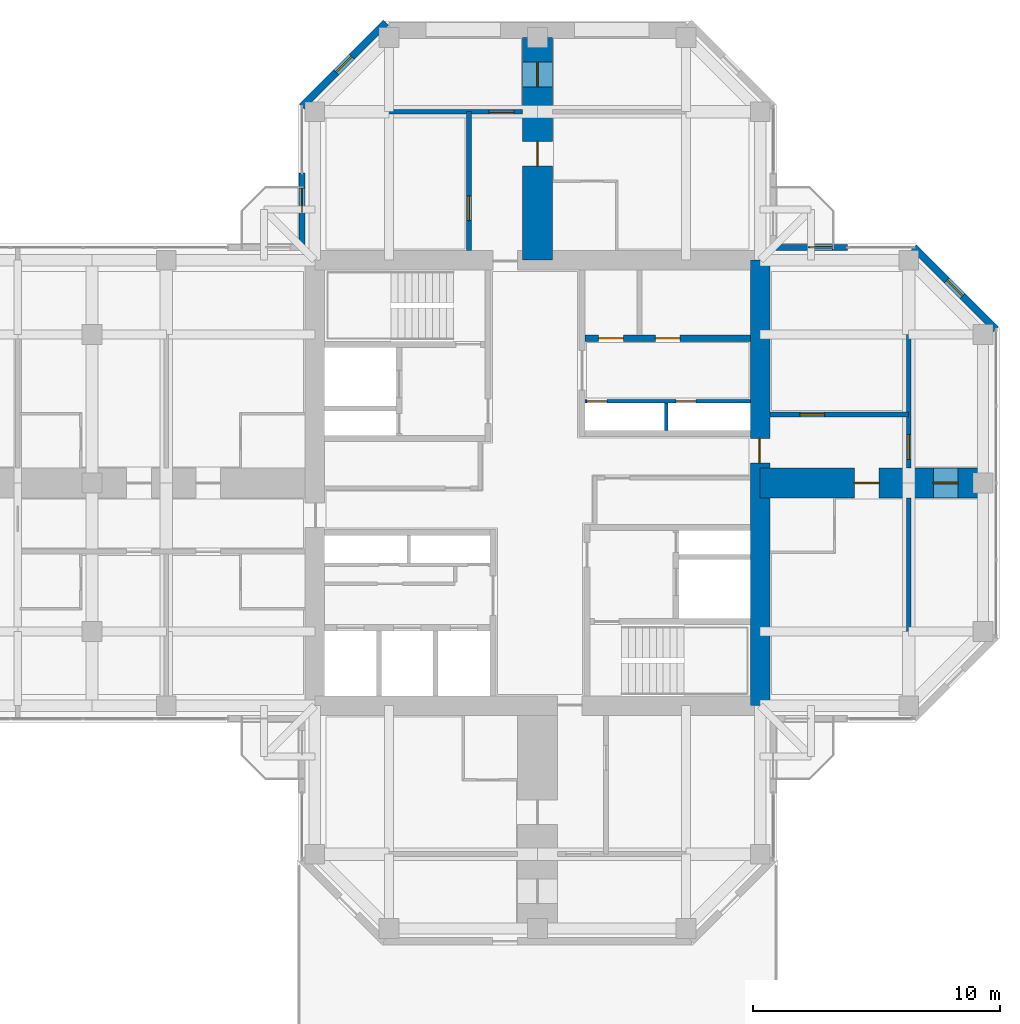
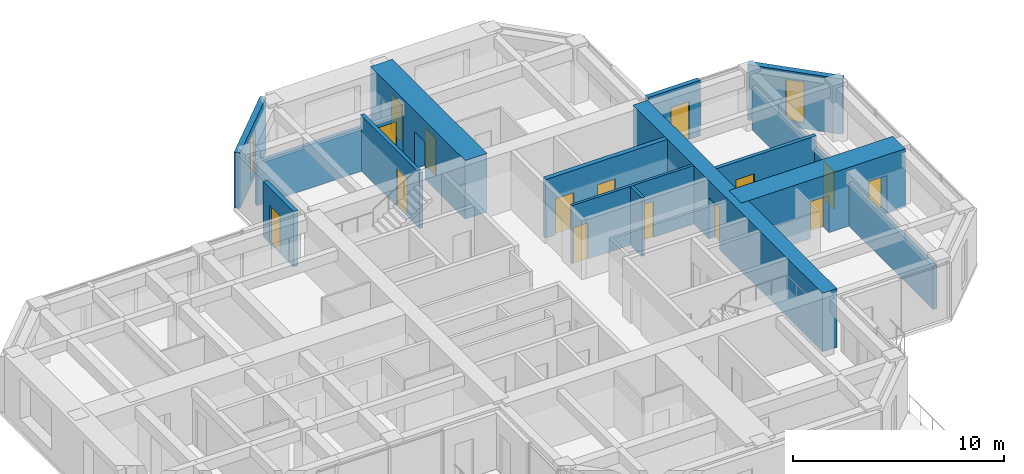
# One storey, part 11 of 14: 15 doors, 15 walls, 2 windows, 17 openings.
"""IFC4 building model written with IfcOpenShell, lengths in metres."""

from ifc_helpers import new_model, si_unit, direction, frame, frame_2d, origin, place, context, subcontext, project, spatial, rectangle, hollow_rectangle, extrude, material, layer, layer_set, constituent, constituent_set, type_object, element, fill, save


model = new_model("IFC4")

# Units and contexts
model_context = context("Model", 3, precision=1e-05, world=origin(), true_north=direction((0.0, 1.0)))
body_context = subcontext(model_context, "Body", "Model", "MODEL_VIEW")
ifc_project = project(units=[si_unit("LENGTHUNIT", "METRE"), si_unit("AREAUNIT", "SQUARE_METRE"), si_unit("VOLUMEUNIT", "CUBIC_METRE"), si_unit("PLANEANGLEUNIT", "RADIAN"), si_unit("MASSUNIT", "GRAM", prefix="KILO")], contexts=[model_context])

# Site, building, storey
site_placement = place(None, origin())
site = spatial("IfcSite", under=ifc_project, at=site_placement, CompositionType="ELEMENT")
building_placement = place(site_placement, origin())
building = spatial("IfcBuilding", under=site, at=building_placement, Name="Torre Cruceta", CompositionType="ELEMENT")
storey_placement = place(building_placement, frame((0.0, 0.0, 222.10009765625)))
storey = spatial("IfcBuildingStorey", under=building, at=storey_placement, Name="L56", CompositionType="ELEMENT", Elevation=222.10009765625)

# Wall, openings, doors
ifc_material_1 = material(Name="Concrete G60 (fck 60 MPa)", Category="concrete")
ifc_layer_1 = layer(ifc_material_1, 0.25)
ifc_layer_set_1 = layer_set([ifc_layer_1], Name="Concrete G60 (fck 60 MPa)")
wall_type_1 = type_object("IfcWallType", Name="CORE INNER WALL 250 G60", PredefinedType="SHEAR", material=ifc_layer_set_1)
wall_1_placement = place(storey_placement, frame((1.925048828125, 5.85009765625, 0.0), z_axis=(0.0, 0.0, 1.0), x_axis=(1.0, 0.0, 0.0)))
wall_1 = element("IfcWall", 1, at=wall_1_placement, inside=storey, type_object=wall_type_1, Name="CW4 L56 NE-LV", PredefinedType="SHEAR", context=body_context, shape_type="SweptSolid", body=[
    extrude(rectangle(XDim=6.675048828125, YDim=0.25, at=frame_2d((3.33740234375, 0.0))), origin(), (0.0, 0.0, 1.0), 3.39990234375),
])
opening_1_placement = place(wall_1_placement, frame((0.5458984375, 0.0, 0.0)))
opening_1 = element("IfcOpeningElement", 2, at=opening_1_placement, cuts=wall_1, Name="Opening D3", PredefinedType="OPENING", context=body_context, shape_type="SweptSolid", body=[
    extrude(rectangle(XDim=1.0, YDim=2.10009765625, at=frame_2d((0.5, 1.050048828125))), frame((0.0, 0.135009765625, 0.0), z_axis=(0.0, -1.0, 0.0), x_axis=(1.0, 0.0, 0.0)), (0.0, 0.0, 1.0), 0.27001953125),
])
opening_2_placement = place(wall_1_placement, frame((2.83740234375, 0.0, 0.0)))
opening_2 = element("IfcOpeningElement", 3, at=opening_2_placement, cuts=wall_1, Name="Opening D3", PredefinedType="OPENING", context=body_context, shape_type="SweptSolid", body=[
    extrude(rectangle(XDim=1.0, YDim=2.10009765625, at=frame_2d((0.5, 1.050048828125))), frame((0.0, 0.135009765625, 0.0), z_axis=(0.0, -1.0, 0.0), x_axis=(1.0, 0.0, 0.0)), (0.0, 0.0, 1.0), 0.27001953125),
])
ifc_material_2 = material(Name="Steel DX51D", Category="steel")
ifc_constituent_1 = constituent(ifc_material_2, Name="Leaf and frame")
ifc_material_3 = material(Name="Polyester powder coating", Category="paint")
ifc_constituent_2 = constituent(ifc_material_3, Name="Finish")
ifc_constituent_set_1 = constituent_set(constituents=[ifc_constituent_1, ifc_constituent_2], Name="Steel fire door")
door_type_1 = type_object("IfcDoorType", Name="FIRE DOOR 1000X2100", OperationType="SINGLE_SWING_LEFT", PredefinedType="DOOR", material=ifc_constituent_set_1)
door_1_placement = place(opening_1_placement, origin())
door_1 = element("IfcDoor", 4, at=door_1_placement, inside=storey, type_object=door_type_1, Name="D3 L56 NE-HR1", OperationType="SINGLE_SWING_LEFT", OverallHeight=2.10009765625, OverallWidth=1.0, PredefinedType="DOOR", context=body_context, shape_type="SweptSolid", body=[
    extrude(rectangle(XDim=1.0, YDim=2.10009765625, at=frame_2d((0.5, 1.050048828125))), frame((0.0, 0.02490234375, 0.0), z_axis=(0.0, -1.0, 0.0), x_axis=(1.0, 0.0, 0.0)), (0.0, 0.0, 1.0), 0.050048828125),
])
fill(opening_1, door_1)
door_2_placement = place(opening_2_placement, origin())
door_2 = element("IfcDoor", 5, at=door_2_placement, inside=storey, type_object=door_type_1, Name="D3 L56 NE-HR2", OperationType="SINGLE_SWING_LEFT", OverallHeight=2.10009765625, OverallWidth=1.0, PredefinedType="DOOR", context=body_context, shape_type="SweptSolid", body=[
    extrude(rectangle(XDim=1.0, YDim=2.10009765625, at=frame_2d((0.5, 1.050048828125))), frame((0.0, 0.02490234375, 0.0), z_axis=(0.0, -1.0, 0.0), x_axis=(1.0, 0.0, 0.0)), (0.0, 0.0, 1.0), 0.050048828125),
])
fill(opening_2, door_2)

# Wall, opening, door
ifc_material_4 = material(Name="Concrete G60 (fck 60 MPa)", Category="concrete")
ifc_layer_2 = layer(ifc_material_4, 0.800048828125)
ifc_layer_set_2 = layer_set([ifc_layer_2], Name="Concrete G60 (fck 60 MPa)")
wall_type_2 = type_object("IfcWallType", Name="CORE WALL 800 G60", PredefinedType="SHEAR", material=ifc_layer_set_2)
wall_2_placement = place(storey_placement, frame((9.0, -9.0, 0.0), z_axis=(0.0, 0.0, 1.0), x_axis=(0.0, 1.0, 0.0)))
wall_2 = element("IfcWall", 6, at=wall_2_placement, inside=storey, type_object=wall_type_2, Name="CW3 L56 CW-E", PredefinedType="SHEAR", context=body_context, shape_type="SweptSolid", body=[
    extrude(rectangle(XDim=18.0, YDim=0.800048828125, at=frame_2d((9.0, 0.0))), origin(), (0.0, 0.0, 1.0), 3.39990234375),
])
opening_3_placement = place(wall_2_placement, frame((9.800048828125, 0.0, 0.0)))
opening_3 = element("IfcOpeningElement", 7, at=opening_3_placement, cuts=wall_2, Name="Opening D4", PredefinedType="OPENING", context=body_context, shape_type="SweptSolid", body=[
    extrude(rectangle(XDim=1.0, YDim=2.39990234375, at=frame_2d((0.5, 1.199951171875))), frame((0.0, 0.409912109375, 0.0), z_axis=(0.0, -1.0, 0.0), x_axis=(1.0, 0.0, 0.0)), (0.0, 0.0, 1.0), 0.820068359375),
])
ifc_material_5 = material(Name="Steel DX51D", Category="steel")
ifc_constituent_3 = constituent(ifc_material_5, Name="Leaf and frame")
ifc_material_6 = material(Name="Polyester powder coating", Category="paint")
ifc_constituent_4 = constituent(ifc_material_6, Name="Finish")
ifc_constituent_set_2 = constituent_set(constituents=[ifc_constituent_3, ifc_constituent_4], Name="Steel fire door")
door_type_2 = type_object("IfcDoorType", Name="CORE ARM DOOR 1000X2400", OperationType="SINGLE_SWING_RIGHT", PredefinedType="DOOR", material=ifc_constituent_set_2)
door_3_placement = place(opening_3_placement, origin())
door_3 = element("IfcDoor", 8, at=door_3_placement, inside=storey, type_object=door_type_2, Name="D4 L56 CW-E", OperationType="SINGLE_SWING_RIGHT", OverallHeight=2.39990234375, OverallWidth=1.0, PredefinedType="DOOR", context=body_context, shape_type="SweptSolid", body=[
    extrude(rectangle(XDim=1.0, YDim=2.39990234375, at=frame_2d((0.5, 1.199951171875))), frame((0.0, 0.05517578125, 0.0), z_axis=(0.0, -1.0, 0.0), x_axis=(1.0, 0.0, 0.0)), (0.0, 0.0, 1.0), 0.050048828125),
])
fill(opening_3, door_3)

ifc_material_7 = material(Name="Concrete G25 (fck 25 MPa)", Category="concrete")
ifc_layer_3 = layer(ifc_material_7, 0.199951171875)
ifc_layer_set_3 = layer_set([ifc_layer_3], Name="Concrete G25 (fck 25 MPa)")
wall_type_3 = type_object("IfcWallType", Name="CORRIDOR WALL 200", PredefinedType="SOLIDWALL", material=ifc_layer_set_3)
wall_3_placement = place(storey_placement, frame((-2.77490234375, 9.39990234375, 0.0), z_axis=(0.0, 0.0, 1.0), x_axis=(0.0, 1.0, 0.0)))
wall_3 = element("IfcWall", 9, at=wall_3_placement, inside=storey, type_object=wall_type_3, Name="PT3 L56-N-CL", PredefinedType="SOLIDWALL", context=body_context, shape_type="SweptSolid", body=[
    extrude(rectangle(XDim=5.60009765625, YDim=0.199951171875, at=frame_2d((2.800048828125, 0.0))), origin(), (0.0, 0.0, 1.0), 3.219970703125),
])
opening_4_placement = place(wall_3_placement, frame((1.199951171875, 0.0, 0.0)))
opening_4 = element("IfcOpeningElement", 10, at=opening_4_placement, cuts=wall_3, Name="Opening D14", PredefinedType="OPENING", context=body_context, shape_type="SweptSolid", body=[
    extrude(rectangle(XDim=1.0, YDim=2.199951171875, at=frame_2d((0.5, 1.10009765625))), frame((0.0, 0.10986328125, 0.0), z_axis=(0.0, -1.0, 0.0), x_axis=(1.0, 0.0, 0.0)), (0.0, 0.0, 1.0), 0.219970703125),
])
ifc_material_8 = material(Name="Steel DX51D", Category="steel")
ifc_constituent_5 = constituent(ifc_material_8, Name="Leaf and frame")
ifc_material_9 = material(Name="Polyester powder coating", Category="paint")
ifc_constituent_6 = constituent(ifc_material_9, Name="Finish")
ifc_material_10 = material(Name="Fire-resisting glass", Category="glass")
ifc_constituent_7 = constituent(ifc_material_10, Name="Vision panel")
ifc_constituent_set_3 = constituent_set(constituents=[ifc_constituent_5, ifc_constituent_6, ifc_constituent_7], Name="Steel fire door with vision panel")
door_type_3 = type_object("IfcDoorType", Name="FIRE DOOR VISION PANEL 1000X2200", OperationType="SINGLE_SWING_RIGHT", PredefinedType="DOOR", material=ifc_constituent_set_3)
door_4_placement = place(opening_4_placement, origin())
door_4 = element("IfcDoor", 11, at=door_4_placement, inside=storey, type_object=door_type_3, Name="D14 L56-N-CL-D1", OperationType="SINGLE_SWING_LEFT", OverallHeight=2.199951171875, OverallWidth=1.0, PredefinedType="DOOR", context=body_context, shape_type="SweptSolid", body=[
    extrude(rectangle(XDim=1.0, YDim=2.199951171875, at=frame_2d((0.5, 1.10009765625))), frame((0.0, 0.02490234375, 0.0), z_axis=(0.0, -1.0, 0.0), x_axis=(1.0, 0.0, 0.0)), (0.0, 0.0, 1.0), 0.050048828125),
])
fill(opening_4, door_4)

wall_4_placement = place(storey_placement, frame((9.39990234375, 2.77490234375, 0.0), z_axis=(0.0, 0.0, 1.0), x_axis=(1.0, 0.0, 0.0)))
wall_4 = element("IfcWall", 12, at=wall_4_placement, inside=storey, type_object=wall_type_3, Name="PT3 L56-E-CL", PredefinedType="SOLIDWALL", context=body_context, shape_type="SweptSolid", body=[
    extrude(rectangle(XDim=5.60009765625, YDim=0.199951171875, at=frame_2d((2.800048828125, 0.0))), origin(), (0.0, 0.0, 1.0), 3.219970703125),
])
opening_5_placement = place(wall_4_placement, frame((1.199951171875, 0.0, 0.0)))
opening_5 = element("IfcOpeningElement", 13, at=opening_5_placement, cuts=wall_4, Name="Opening D14", PredefinedType="OPENING", context=body_context, shape_type="SweptSolid", body=[
    extrude(rectangle(XDim=1.0, YDim=2.199951171875, at=frame_2d((0.5, 1.10009765625))), frame((0.0, 0.10986328125, 0.0), z_axis=(0.0, -1.0, 0.0), x_axis=(1.0, 0.0, 0.0)), (0.0, 0.0, 1.0), 0.219970703125),
])
door_5_placement = place(opening_5_placement, origin())
door_5 = element("IfcDoor", 14, at=door_5_placement, inside=storey, type_object=door_type_3, Name="D14 L56-E-CL-D1", OperationType="SINGLE_SWING_LEFT", OverallHeight=2.199951171875, OverallWidth=1.0, PredefinedType="DOOR", context=body_context, shape_type="SweptSolid", body=[
    extrude(rectangle(XDim=1.0, YDim=2.199951171875, at=frame_2d((0.5, 1.10009765625))), frame((0.0, 0.02490234375, 0.0), z_axis=(0.0, -1.0, 0.0), x_axis=(1.0, 0.0, 0.0)), (0.0, 0.0, 1.0), 0.050048828125),
])
fill(opening_5, door_5)

# Wall, opening, window
ifc_material_11 = material(Name="Concrete G30 (fck 30 MPa)", Category="concrete")
ifc_layer_4 = layer(ifc_material_11, 0.300048828125)
ifc_layer_set_4 = layer_set([ifc_layer_4], Name="Concrete G30 (fck 30 MPa)")
wall_type_4 = type_object("IfcWallType", Name="EXPOSED CONCRETE FACADE WALL 300", PredefinedType="SOLIDWALL", material=ifc_layer_set_4)
wall_5_placement = place(storey_placement, frame((18.52001953125, 6.21533203125, 0.0), z_axis=(0.0, 0.0, 1.0), x_axis=(-0.707106781187, 0.707106781187, 0.0)))
wall_5 = element("IfcWall", 15, at=wall_5_placement, inside=storey, type_object=wall_type_4, Name="EW1 facade wall L56 E chamfer 03", PredefinedType="SOLIDWALL", context=body_context, shape_type="SweptSolid", body=[
    extrude(rectangle(XDim=4.673583984375, YDim=0.300048828125, at=frame_2d((2.3369140625, 0.0))), origin(), (0.0, 0.0, 1.0), 3.219970703125),
])
opening_6_placement = place(wall_5_placement, frame((1.88671875, 0.0, 0.300048828125)))
opening_6 = element("IfcOpeningElement", 16, at=opening_6_placement, cuts=wall_5, Name="Opening WN5", PredefinedType="OPENING", context=body_context, shape_type="SweptSolid", body=[
    extrude(rectangle(XDim=0.89990234375, YDim=2.39990234375, at=frame_2d((0.449951171875, 1.199951171875))), frame((0.0, 0.159912109375, 0.0), z_axis=(0.0, -1.0, 0.0), x_axis=(1.0, 0.0, 0.0)), (0.0, 0.0, 1.0), 0.320068359375),
])
ifc_material_12 = material(Name="Aluminium window frame", Category="aluminium")
ifc_constituent_8 = constituent(ifc_material_12, Name="Frame")
ifc_material_13 = material(Name="Laminated insulating glass unit, low-iron clear", Category="glass")
ifc_constituent_9 = constituent(ifc_material_13, Name="Glazing")
ifc_constituent_set_4 = constituent_set(constituents=[ifc_constituent_8, ifc_constituent_9], Name="Aluminium window")
window_type = type_object("IfcWindowType", Name="CHAMFER SLOT WINDOW 900X2400", PartitioningType="SINGLE_PANEL", PredefinedType="WINDOW", material=ifc_constituent_set_4)
window_1_placement = place(opening_6_placement, origin())
window_1 = element("IfcWindow", 17, at=window_1_placement, inside=storey, type_object=window_type, Name="WN5 L56 E 1", OverallHeight=2.39990234375, OverallWidth=0.89990234375, PartitioningType="SINGLE_PANEL", PredefinedType="WINDOW", context=body_context, shape_type="SweptSolid", body=[
    extrude(hollow_rectangle(XDim=0.89990234375, YDim=2.39990234375, WallThickness=0.06005859375, at=frame_2d((0.449951171875, 1.199951171875))), frame((0.0, 0.030029296875, 0.0), z_axis=(0.0, -1.0, 0.0), x_axis=(1.0, 0.0, 0.0)), (0.0, 0.0, 1.0), 0.06005859375),
    extrude(rectangle(XDim=0.77880859375, YDim=2.27880859375, at=frame_2d((0.449951171875, 1.199951171875))), frame((0.0, 0.030029296875, 0.0), z_axis=(0.0, -1.0, 0.0), x_axis=(1.0, 0.0, 0.0)), (0.0, 0.0, 1.0), 0.06005859375),
])
fill(opening_6, window_1)

wall_6_placement = place(storey_placement, frame((-6.135498046875, 18.60009765625, 0.0), z_axis=(0.0, 0.0, 1.0), x_axis=(-0.707081278264, -0.707132283189, 0.0)))
wall_6 = element("IfcWall", 18, at=wall_6_placement, inside=storey, type_object=wall_type_4, Name="EW1 facade wall L56 N chamfer 08", PredefinedType="SOLIDWALL", context=body_context, shape_type="SweptSolid", body=[
    extrude(rectangle(XDim=4.78662109375, YDim=0.300048828125, at=frame_2d((2.393310546875, 0.0))), origin(), (0.0, 0.0, 1.0), 3.219970703125),
])
opening_7_placement = place(wall_6_placement, frame((1.943359375, 0.0, 0.300048828125)))
opening_7 = element("IfcOpeningElement", 19, at=opening_7_placement, cuts=wall_6, Name="Opening WN5", PredefinedType="OPENING", context=body_context, shape_type="SweptSolid", body=[
    extrude(rectangle(XDim=0.89990234375, YDim=2.39990234375, at=frame_2d((0.449951171875, 1.199951171875))), frame((0.0, 0.159912109375, 0.0), z_axis=(0.0, -1.0, 0.0), x_axis=(1.0, 0.0, 0.0)), (0.0, 0.0, 1.0), 0.320068359375),
])
window_2_placement = place(opening_7_placement, origin())
window_2 = element("IfcWindow", 20, at=window_2_placement, inside=storey, type_object=window_type, Name="WN5 L56 N 1", OverallHeight=2.39990234375, OverallWidth=0.89990234375, PartitioningType="SINGLE_PANEL", PredefinedType="WINDOW", context=body_context, shape_type="SweptSolid", body=[
    extrude(hollow_rectangle(XDim=0.89990234375, YDim=2.39990234375, WallThickness=0.06005859375, at=frame_2d((0.449951171875, 1.199951171875))), frame((0.0, 0.030029296875, 0.0), z_axis=(0.0, -1.0, 0.0), x_axis=(1.0, 0.0, 0.0)), (0.0, 0.0, 1.0), 0.06005859375),
    extrude(rectangle(XDim=0.77880859375, YDim=2.27880859375, at=frame_2d((0.449951171875, 1.199951171875))), frame((0.0, 0.030029296875, 0.0), z_axis=(0.0, -1.0, 0.0), x_axis=(1.0, 0.0, 0.0)), (0.0, 0.0, 1.0), 0.06005859375),
])
fill(opening_7, window_2)

# Wall, openings, doors
ifc_material_14 = material(Name="Concrete block masonry", Category="masonry")
ifc_layer_5 = layer(ifc_material_14, 0.14990234375)
ifc_layer_set_5 = layer_set([ifc_layer_5], Name="Concrete block masonry")
wall_type_5 = type_object("IfcWallType", Name="RISER WALL 150", PredefinedType="PARTITIONING", material=ifc_layer_set_5)
wall_7_placement = place(storey_placement, frame((1.925048828125, 3.300048828125, 0.0), z_axis=(0.0, 0.0, 1.0), x_axis=(1.0, 0.0, 0.0)))
wall_7 = element("IfcWall", 21, at=wall_7_placement, inside=storey, type_object=wall_type_5, Name="SW7 L56 NE-RV", PredefinedType="PARTITIONING", context=body_context, shape_type="SweptSolid", body=[
    extrude(rectangle(XDim=6.675048828125, YDim=0.14990234375, at=frame_2d((3.33740234375, 0.0))), origin(), (0.0, 0.0, 1.0), 3.39990234375),
])
opening_8_placement = place(wall_7_placement, frame((0.074951171875, 0.0, 0.0)))
opening_8 = element("IfcOpeningElement", 22, at=opening_8_placement, cuts=wall_7, Name="Opening D5", PredefinedType="OPENING", context=body_context, shape_type="SweptSolid", body=[
    extrude(rectangle(XDim=0.800048828125, YDim=2.10009765625, at=frame_2d((0.39990234375, 1.050048828125))), frame((0.0, 0.0849609375, 0.0), z_axis=(0.0, -1.0, 0.0), x_axis=(1.0, 0.0, 0.0)), (0.0, 0.0, 1.0), 0.169921875),
])
opening_9_placement = place(wall_7_placement, frame((3.675048828125, 0.0, 0.0)))
opening_9 = element("IfcOpeningElement", 23, at=opening_9_placement, cuts=wall_7, Name="Opening D5", PredefinedType="OPENING", context=body_context, shape_type="SweptSolid", body=[
    extrude(rectangle(XDim=0.800048828125, YDim=2.10009765625, at=frame_2d((0.39990234375, 1.050048828125))), frame((0.0, 0.0849609375, 0.0), z_axis=(0.0, -1.0, 0.0), x_axis=(1.0, 0.0, 0.0)), (0.0, 0.0, 1.0), 0.169921875),
])
ifc_material_15 = material(Name="Steel DX51D", Category="steel")
ifc_constituent_10 = constituent(ifc_material_15, Name="Leaf and frame")
ifc_material_16 = material(Name="Polyester powder coating", Category="paint")
ifc_constituent_11 = constituent(ifc_material_16, Name="Finish")
ifc_constituent_set_5 = constituent_set(constituents=[ifc_constituent_10, ifc_constituent_11], Name="Steel fire door")
door_type_4 = type_object("IfcDoorType", Name="RISER ACCESS DOOR 800X2100", OperationType="SINGLE_SWING_LEFT", PredefinedType="DOOR", material=ifc_constituent_set_5)
door_6_placement = place(opening_8_placement, frame((0.800048828125, 0.0, 0.0), z_axis=(0.0, 0.0, 1.0), x_axis=(-1.0, 0.0, 0.0)))
door_6 = element("IfcDoor", 24, at=door_6_placement, inside=storey, type_object=door_type_4, Name="D5 L56 NE-RISER1", OperationType="SINGLE_SWING_RIGHT", OverallHeight=2.10009765625, OverallWidth=0.800048828125, PredefinedType="DOOR", context=body_context, shape_type="SweptSolid", body=[
    extrude(rectangle(XDim=0.800048828125, YDim=2.10009765625, at=frame_2d((0.400146484375, 1.050048828125))), frame((0.0, 0.025146484375, 0.0), z_axis=(0.0, -1.0, 0.0), x_axis=(1.0, 0.0, 0.0)), (0.0, 0.0, 1.0), 0.050048828125),
])
fill(opening_8, door_6)
door_7_placement = place(opening_9_placement, frame((0.800048828125, 0.0, 0.0), z_axis=(0.0, 0.0, 1.0), x_axis=(-1.0, 0.0, 0.0)))
door_7 = element("IfcDoor", 25, at=door_7_placement, inside=storey, type_object=door_type_4, Name="D5 L56 NE-RISER2", OperationType="SINGLE_SWING_RIGHT", OverallHeight=2.10009765625, OverallWidth=0.800048828125, PredefinedType="DOOR", context=body_context, shape_type="SweptSolid", body=[
    extrude(rectangle(XDim=0.800048828125, YDim=2.10009765625, at=frame_2d((0.400146484375, 1.050048828125))), frame((0.0, 0.025146484375, 0.0), z_axis=(0.0, -1.0, 0.0), x_axis=(1.0, 0.0, 0.0)), (0.0, 0.0, 1.0), 0.050048828125),
])
fill(opening_9, door_7)

# Wall
wall_8_placement = place(storey_placement, frame((5.199951171875, 2.125, 0.0), z_axis=(0.0, 0.0, 1.0), x_axis=(0.0, 1.0, 0.0)))
element("IfcWall", 26, at=wall_8_placement, inside=storey, type_object=wall_type_5, Name="SW7 L56 NE-RU", PredefinedType="PARTITIONING", context=body_context, shape_type="SweptSolid", body=[
    extrude(rectangle(XDim=1.10009765625, YDim=0.14990234375, at=frame_2d((0.550048828125, 0.0))), origin(), (0.0, 0.0, 1.0), 3.39990234375),
])

# Wall, openings, doors
ifc_material_17 = material(Name="Concrete G60 (fck 60 MPa)", Category="concrete")
ifc_layer_6 = layer(ifc_material_17, 1.199951171875)
ifc_layer_set_6 = layer_set([ifc_layer_6], Name="Concrete G60 (fck 60 MPa)")
wall_type_6 = type_object("IfcWallType", Name="SPINE WALL 1200 G60", PredefinedType="SHEAR", material=ifc_layer_set_6)
wall_9_placement = place(storey_placement, frame((0.0, 9.0, 0.0), z_axis=(0.0, 0.0, 1.0), x_axis=(0.0, 1.0, 0.0)))
wall_9 = element("IfcWall", 27, at=wall_9_placement, inside=storey, type_object=wall_type_6, Name="SW3 spine wall L56 N", PredefinedType="SHEAR", context=body_context, shape_type="SweptSolid", body=[
    extrude(rectangle(XDim=9.0, YDim=1.199951171875, at=frame_2d((4.5, 0.0))), origin(), (0.0, 0.0, 1.0), 3.39990234375),
])
opening_10_placement = place(wall_9_placement, frame((3.800048828125, 0.0, 0.0)))
opening_10 = element("IfcOpeningElement", 28, at=opening_10_placement, cuts=wall_9, Name="Opening D6", PredefinedType="OPENING", context=body_context, shape_type="SweptSolid", body=[
    extrude(rectangle(XDim=1.0, YDim=2.14990234375, at=frame_2d((0.5, 1.074951171875))), frame((0.0, 0.60986328125, 0.0), z_axis=(0.0, -1.0, 0.0), x_axis=(1.0, 0.0, 0.0)), (0.0, 0.0, 1.0), 1.219970703125),
])
opening_11_placement = place(wall_9_placement, frame((7.0, 0.0, 0.0)))
opening_11 = element("IfcOpeningElement", 29, at=opening_11_placement, cuts=wall_9, Name="Opening D14", PredefinedType="OPENING", context=body_context, shape_type="SweptSolid", body=[
    extrude(rectangle(XDim=1.0, YDim=2.199951171875, at=frame_2d((0.5, 1.10009765625))), frame((0.0, 0.60986328125, 0.0), z_axis=(0.0, -1.0, 0.0), x_axis=(1.0, 0.0, 0.0)), (0.0, 0.0, 1.0), 1.219970703125),
])
door_8_placement = place(opening_11_placement, origin())
door_8 = element("IfcDoor", 30, at=door_8_placement, inside=storey, type_object=door_type_3, Name="D14 L56-N-SP2", OperationType="SINGLE_SWING_RIGHT", OverallHeight=2.199951171875, OverallWidth=1.0, PredefinedType="DOOR", context=body_context, shape_type="SweptSolid", body=[
    extrude(rectangle(XDim=1.0, YDim=2.199951171875, at=frame_2d((0.5, 1.10009765625))), frame((0.0, 0.02490234375, 0.0), z_axis=(0.0, -1.0, 0.0), x_axis=(1.0, 0.0, 0.0)), (0.0, 0.0, 1.0), 0.050048828125),
])
fill(opening_11, door_8)
ifc_material_18 = material(Name="Timber fire door", Category="wood")
door_type_5 = type_object("IfcDoorType", Name="UNIT ENTRANCE DOOR 1000X2150", OperationType="SINGLE_SWING_LEFT", PredefinedType="DOOR", material=ifc_material_18)
door_9_placement = place(opening_10_placement, frame((1.0, 0.0, 0.0), z_axis=(0.0, 0.0, 1.0), x_axis=(-1.0, 0.0, 0.0)))
door_9 = element("IfcDoor", 31, at=door_9_placement, inside=storey, type_object=door_type_5, Name="D6 L56-N-SP1", OperationType="SINGLE_SWING_RIGHT", OverallHeight=2.14990234375, OverallWidth=1.0, PredefinedType="DOOR", context=body_context, shape_type="SweptSolid", body=[
    extrude(rectangle(XDim=1.0, YDim=2.14990234375, at=frame_2d((0.5, 1.074951171875))), frame((0.0, 0.025146484375, 0.0), z_axis=(0.0, -1.0, 0.0), x_axis=(1.0, 0.0, 0.0)), (0.0, 0.0, 1.0), 0.050048828125),
])
fill(opening_10, door_9)

wall_10_placement = place(storey_placement, frame((9.0, 0.0, 0.0), z_axis=(0.0, 0.0, 1.0), x_axis=(1.0, 0.0, 0.0)))
wall_10 = element("IfcWall", 32, at=wall_10_placement, inside=storey, type_object=wall_type_6, Name="SW3 spine wall L56 E", PredefinedType="SHEAR", context=body_context, shape_type="SweptSolid", body=[
    extrude(rectangle(XDim=9.0, YDim=1.199951171875, at=frame_2d((4.5, 0.0))), origin(), (0.0, 0.0, 1.0), 3.39990234375),
])
opening_12_placement = place(wall_10_placement, frame((3.800048828125, 0.0, 0.0)))
opening_12 = element("IfcOpeningElement", 33, at=opening_12_placement, cuts=wall_10, Name="Opening D6", PredefinedType="OPENING", context=body_context, shape_type="SweptSolid", body=[
    extrude(rectangle(XDim=1.0, YDim=2.14990234375, at=frame_2d((0.5, 1.074951171875))), frame((0.0, 0.60986328125, 0.0), z_axis=(0.0, -1.0, 0.0), x_axis=(1.0, 0.0, 0.0)), (0.0, 0.0, 1.0), 1.219970703125),
])
opening_13_placement = place(wall_10_placement, frame((7.0, 0.0, 0.0)))
opening_13 = element("IfcOpeningElement", 34, at=opening_13_placement, cuts=wall_10, Name="Opening D14", PredefinedType="OPENING", context=body_context, shape_type="SweptSolid", body=[
    extrude(rectangle(XDim=1.0, YDim=2.199951171875, at=frame_2d((0.5, 1.10009765625))), frame((0.0, 0.60986328125, 0.0), z_axis=(0.0, -1.0, 0.0), x_axis=(1.0, 0.0, 0.0)), (0.0, 0.0, 1.0), 1.219970703125),
])
door_10_placement = place(opening_13_placement, origin())
door_10 = element("IfcDoor", 35, at=door_10_placement, inside=storey, type_object=door_type_3, Name="D14 L56-E-SP2", OperationType="SINGLE_SWING_LEFT", OverallHeight=2.199951171875, OverallWidth=1.0, PredefinedType="DOOR", context=body_context, shape_type="SweptSolid", body=[
    extrude(rectangle(XDim=1.0, YDim=2.199951171875, at=frame_2d((0.5, 1.10009765625))), frame((0.0, 0.02490234375, 0.0), z_axis=(0.0, -1.0, 0.0), x_axis=(1.0, 0.0, 0.0)), (0.0, 0.0, 1.0), 0.050048828125),
])
fill(opening_13, door_10)
door_11_placement = place(opening_12_placement, frame((1.0, 0.0, 0.0), z_axis=(0.0, 0.0, 1.0), x_axis=(-1.0, 0.0, 0.0)))
door_11 = element("IfcDoor", 36, at=door_11_placement, inside=storey, type_object=door_type_5, Name="D6 L56-E-SP1", OperationType="SINGLE_SWING_RIGHT", OverallHeight=2.14990234375, OverallWidth=1.0, PredefinedType="DOOR", context=body_context, shape_type="SweptSolid", body=[
    extrude(rectangle(XDim=1.0, YDim=2.14990234375, at=frame_2d((0.5, 1.074951171875))), frame((0.0, 0.025146484375, 0.0), z_axis=(0.0, -1.0, 0.0), x_axis=(1.0, 0.0, 0.0)), (0.0, 0.0, 1.0), 0.050048828125),
])
fill(opening_12, door_11)

# Wall, opening, door
ifc_material_19 = material(Name="Concrete G25 (fck 25 MPa)", Category="concrete")
ifc_layer_7 = layer(ifc_material_19, 0.199951171875)
ifc_layer_set_7 = layer_set([ifc_layer_7], Name="Concrete G25 (fck 25 MPa)")
wall_type_7 = type_object("IfcWallType", Name="UNIT SEPARATING WALL 200", PredefinedType="SOLIDWALL", material=ifc_layer_set_7)
wall_11_placement = place(storey_placement, frame((-0.60009765625, 15.0, 0.0), z_axis=(0.0, 0.0, 1.0), x_axis=(-1.0, 0.0, 0.0)))
wall_11 = element("IfcWall", 37, at=wall_11_placement, inside=storey, type_object=wall_type_7, Name="PT2 L56-N-ENDb", PredefinedType="SOLIDWALL", context=body_context, shape_type="SweptSolid", body=[
    extrude(rectangle(XDim=8.0, YDim=0.199951171875, at=frame_2d((4.0, 0.0))), origin(), (0.0, 0.0, 1.0), 2.52001953125),
])
opening_14_placement = place(wall_11_placement, frame((0.35009765625, 0.0, 0.0)))
opening_14 = element("IfcOpeningElement", 38, at=opening_14_placement, cuts=wall_11, Name="Opening D14", PredefinedType="OPENING", context=body_context, shape_type="SweptSolid", body=[
    extrude(rectangle(XDim=1.0, YDim=2.199951171875, at=frame_2d((0.5, 1.10009765625))), frame((0.0, 0.10986328125, 0.0), z_axis=(0.0, -1.0, 0.0), x_axis=(1.0, 0.0, 0.0)), (0.0, 0.0, 1.0), 0.219970703125),
])
door_12_placement = place(opening_14_placement, frame((1.0, 0.0, 0.0), z_axis=(0.0, 0.0, 1.0), x_axis=(-1.0, 0.0, 0.0)))
door_12 = element("IfcDoor", 39, at=door_12_placement, inside=storey, type_object=door_type_3, Name="D14 L56-N-ENDb-D1", OperationType="SINGLE_SWING_RIGHT", OverallHeight=2.199951171875, OverallWidth=1.0, PredefinedType="DOOR", context=body_context, shape_type="SweptSolid", body=[
    extrude(rectangle(XDim=1.0, YDim=2.199951171875, at=frame_2d((0.5, 1.10009765625))), frame((0.0, 0.025146484375, 0.0), z_axis=(0.0, -1.0, 0.0), x_axis=(1.0, 0.0, 0.0)), (0.0, 0.0, 1.0), 0.050048828125),
])
fill(opening_14, door_12)

# Wall
wall_12_placement = place(storey_placement, frame((15.0, -8.60009765625, 0.0), z_axis=(0.0, 0.0, 1.0), x_axis=(0.0, 1.0, 0.0)))
element("IfcWall", 40, at=wall_12_placement, inside=storey, type_object=wall_type_7, Name="PT2 L56-E-ENDa", PredefinedType="SOLIDWALL", context=body_context, shape_type="SweptSolid", body=[
    extrude(rectangle(XDim=8.0, YDim=0.199951171875, at=frame_2d((4.0, 0.0))), origin(), (0.0, 0.0, 1.0), 2.52001953125),
])

# Wall, opening, door
wall_13_placement = place(storey_placement, frame((15.0, 0.60009765625, 0.0), z_axis=(0.0, 0.0, 1.0), x_axis=(0.0, 1.0, 0.0)))
wall_13 = element("IfcWall", 41, at=wall_13_placement, inside=storey, type_object=wall_type_7, Name="PT2 L56-E-ENDb", PredefinedType="SOLIDWALL", context=body_context, shape_type="SweptSolid", body=[
    extrude(rectangle(XDim=8.0, YDim=0.199951171875, at=frame_2d((4.0, 0.0))), origin(), (0.0, 0.0, 1.0), 2.52001953125),
])
opening_15_placement = place(wall_13_placement, frame((0.35009765625, 0.0, 0.0)))
opening_15 = element("IfcOpeningElement", 42, at=opening_15_placement, cuts=wall_13, Name="Opening D14", PredefinedType="OPENING", context=body_context, shape_type="SweptSolid", body=[
    extrude(rectangle(XDim=1.0, YDim=2.199951171875, at=frame_2d((0.5, 1.10009765625))), frame((0.0, 0.10986328125, 0.0), z_axis=(0.0, -1.0, 0.0), x_axis=(1.0, 0.0, 0.0)), (0.0, 0.0, 1.0), 0.219970703125),
])
door_13_placement = place(opening_15_placement, frame((1.0, 0.0, 0.0), z_axis=(0.0, 0.0, 1.0), x_axis=(-1.0, 0.0, 0.0)))
door_13 = element("IfcDoor", 43, at=door_13_placement, inside=storey, type_object=door_type_3, Name="D14 L56-E-ENDb-D1", OperationType="SINGLE_SWING_LEFT", OverallHeight=2.199951171875, OverallWidth=1.0, PredefinedType="DOOR", context=body_context, shape_type="SweptSolid", body=[
    extrude(rectangle(XDim=1.0, YDim=2.199951171875, at=frame_2d((0.5, 1.10009765625))), frame((0.0, 0.025146484375, 0.0), z_axis=(0.0, -1.0, 0.0), x_axis=(1.0, 0.0, 0.0)), (0.0, 0.0, 1.0), 0.050048828125),
])
fill(opening_15, door_13)

ifc_material_20 = material(Name="Concrete G30 (fck 30 MPa)", Category="concrete")
ifc_layer_8 = layer(ifc_material_20, 0.25)
ifc_layer_set_8 = layer_set([ifc_layer_8], Name="Concrete G30 (fck 30 MPa)")
wall_type_8 = type_object("IfcWallType", Name="WINTER GARDEN WALL 250", PredefinedType="SOLIDWALL", material=ifc_layer_set_8)
wall_14_placement = place(storey_placement, frame((12.52001953125, 9.52001953125, 0.0), z_axis=(0.0, 0.0, 1.0), x_axis=(-1.0, 0.0, 0.0)))
wall_14 = element("IfcWall", 44, at=wall_14_placement, inside=storey, type_object=wall_type_8, Name="EW2 winter garden wall L56 04", PredefinedType="SOLIDWALL", context=body_context, shape_type="SweptSolid", body=[
    extrude(rectangle(XDim=2.875, YDim=0.25, at=frame_2d((1.4375, 0.0))), origin(), (0.0, 0.0, 1.0), 3.219970703125),
])
opening_16_placement = place(wall_14_placement, frame((0.60009765625, 0.0, 0.0)))
opening_16 = element("IfcOpeningElement", 45, at=opening_16_placement, cuts=wall_14, Name="Opening D10", PredefinedType="OPENING", context=body_context, shape_type="SweptSolid", body=[
    extrude(rectangle(XDim=1.0, YDim=2.199951171875, at=frame_2d((0.5, 1.10009765625))), frame((0.0, 0.135009765625, 0.0), z_axis=(0.0, -1.0, 0.0), x_axis=(1.0, 0.0, 0.0)), (0.0, 0.0, 1.0), 0.27001953125),
])
ifc_material_21 = material(Name="Aluminium door frame", Category="aluminium")
ifc_constituent_12 = constituent(ifc_material_21, Name="Frame")
ifc_material_22 = material(Name="Laminated safety glass", Category="glass")
ifc_constituent_13 = constituent(ifc_material_22, Name="Glazing")
ifc_constituent_set_6 = constituent_set(constituents=[ifc_constituent_12, ifc_constituent_13], Name="Aluminium glazed door")
door_type_6 = type_object("IfcDoorType", Name="BALCONY DOOR 1000X2200", OperationType="SINGLE_SWING_RIGHT", PredefinedType="DOOR", material=ifc_constituent_set_6)
door_14_placement = place(opening_16_placement, origin())
door_14 = element("IfcDoor", 46, at=door_14_placement, inside=storey, type_object=door_type_6, Name="D10 balcony door L56 04", OperationType="SINGLE_SWING_RIGHT", OverallHeight=2.199951171875, OverallWidth=1.0, PredefinedType="DOOR", context=body_context, shape_type="SweptSolid", body=[
    extrude(hollow_rectangle(XDim=1.0, YDim=2.199951171875, WallThickness=0.06005859375, at=frame_2d((0.5, 1.10009765625))), frame((0.0, 0.02490234375, 0.0), z_axis=(0.0, -1.0, 0.0), x_axis=(1.0, 0.0, 0.0)), (0.0, 0.0, 1.0), 0.050048828125),
    extrude(rectangle(XDim=0.87890625, YDim=2.078857421875, at=frame_2d((0.5, 1.10009765625))), frame((0.0, 0.02490234375, 0.0), z_axis=(0.0, -1.0, 0.0), x_axis=(1.0, 0.0, 0.0)), (0.0, 0.0, 1.0), 0.050048828125),
])
fill(opening_16, door_14)

wall_15_placement = place(storey_placement, frame((-9.52001953125, 12.52001953125, 0.0), z_axis=(0.0, 0.0, 1.0), x_axis=(0.0, -1.0, 0.0)))
wall_15 = element("IfcWall", 47, at=wall_15_placement, inside=storey, type_object=wall_type_8, Name="EW2 winter garden wall L56 09", PredefinedType="SOLIDWALL", context=body_context, shape_type="SweptSolid", body=[
    extrude(rectangle(XDim=2.875, YDim=0.25, at=frame_2d((1.4375, 0.0))), origin(), (0.0, 0.0, 1.0), 3.219970703125),
])
opening_17_placement = place(wall_15_placement, frame((0.60009765625, 0.0, 0.0)))
opening_17 = element("IfcOpeningElement", 48, at=opening_17_placement, cuts=wall_15, Name="Opening D10", PredefinedType="OPENING", context=body_context, shape_type="SweptSolid", body=[
    extrude(rectangle(XDim=1.0, YDim=2.199951171875, at=frame_2d((0.5, 1.10009765625))), frame((0.0, 0.135009765625, 0.0), z_axis=(0.0, -1.0, 0.0), x_axis=(1.0, 0.0, 0.0)), (0.0, 0.0, 1.0), 0.27001953125),
])
door_15_placement = place(opening_17_placement, origin())
door_15 = element("IfcDoor", 49, at=door_15_placement, inside=storey, type_object=door_type_6, Name="D10 balcony door L56 09", OperationType="SINGLE_SWING_RIGHT", OverallHeight=2.199951171875, OverallWidth=1.0, PredefinedType="DOOR", context=body_context, shape_type="SweptSolid", body=[
    extrude(hollow_rectangle(XDim=1.0, YDim=2.199951171875, WallThickness=0.06005859375, at=frame_2d((0.5, 1.10009765625))), frame((0.0, 0.02490234375, 0.0), z_axis=(0.0, -1.0, 0.0), x_axis=(1.0, 0.0, 0.0)), (0.0, 0.0, 1.0), 0.050048828125),
    extrude(rectangle(XDim=0.87890625, YDim=2.078857421875, at=frame_2d((0.5, 1.10009765625))), frame((0.0, 0.02490234375, 0.0), z_axis=(0.0, -1.0, 0.0), x_axis=(1.0, 0.0, 0.0)), (0.0, 0.0, 1.0), 0.050048828125),
])
fill(opening_17, door_15)

save(model, "model.ifc")
